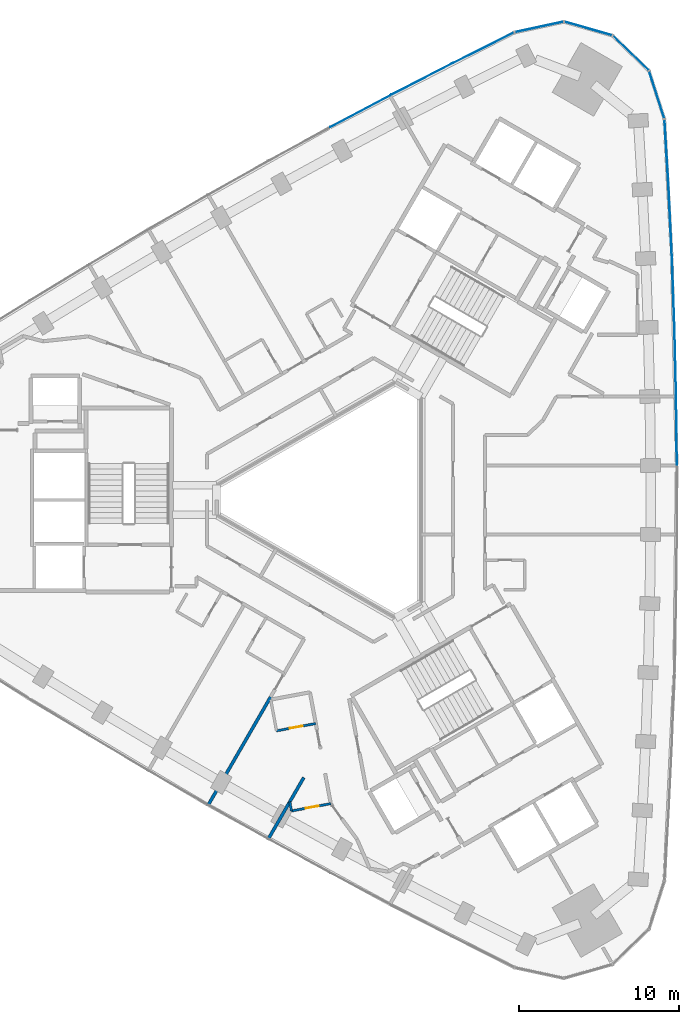
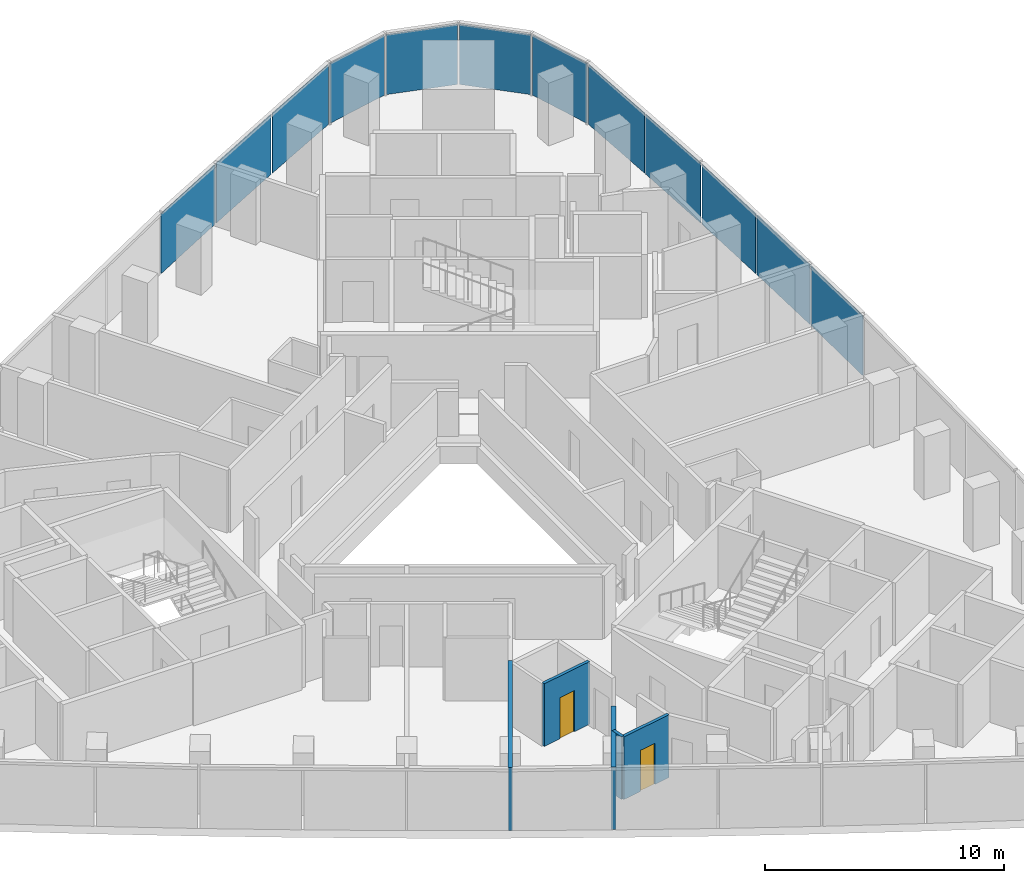
# One storey, part 7 of 13: 12 plates, 5 walls, 2 doors, 2 openings, 2 elements without a shape of their own.
"""IFC4 building model written with IfcOpenShell, lengths in metres."""

from ifc_helpers import new_model, si_unit, direction, frame, frame_2d, origin, origin_2d, place, context, subcontext, project, spatial, rectangle, extrude, material, layer, layer_set, type_object, element, fill, aggregate, save


model = new_model("IFC4")

# Units and contexts
model_context = context("Model", 3, precision=1e-05, world=origin(), true_north=direction((0.0, 1.0)))
body_context = subcontext(model_context, "Body", "Model", "MODEL_VIEW")
ifc_project = project(units=[si_unit("LENGTHUNIT", "METRE"), si_unit("AREAUNIT", "SQUARE_METRE"), si_unit("VOLUMEUNIT", "CUBIC_METRE"), si_unit("PLANEANGLEUNIT", "RADIAN"), si_unit("MASSUNIT", "GRAM", prefix="KILO")], contexts=[model_context])

# Site, building, storey
site_placement = place(None, origin())
site = spatial("IfcSite", under=ifc_project, at=site_placement, CompositionType="ELEMENT")
building_placement = place(site_placement, origin())
building = spatial("IfcBuilding", under=site, at=building_placement, Name="Tamra Quay Hotel Tower", CompositionType="ELEMENT")
storey_placement = place(building_placement, frame((0.0, 0.0, 132.39990234375)))
storey = spatial("IfcBuildingStorey", under=building, at=storey_placement, Name="L32", CompositionType="ELEMENT", Elevation=132.39990234375)

# Curtain wall, plates
ifc_material_1 = material(Name="Aluminium 6063 anodised dark grey", Category="aluminium")
curtain_wall_type_1 = type_object("IfcCurtainWallType", Name="CW1 CURTAIN WALL", PredefinedType="NOTDEFINED", material=ifc_material_1)
curtain_wall_1_placement = place(storey_placement, origin())
curtain_wall_1 = element("IfcCurtainWall", 1, at=curtain_wall_1_placement, inside=storey, type_object=curtain_wall_type_1, Name="CW1 east face L32", PredefinedType="NOTDEFINED")
ifc_material_2 = material(Name="Glass clear laminated low-iron", Category="glass")
ifc_layer_1 = layer(ifc_material_2, 0.031982421875)
ifc_layer_set_1 = layer_set([ifc_layer_1], Name="GLASS PANEL CW1 Z3")
plate_type_1 = type_object("IfcPlateType", Name="GLASS PANEL CW1 Z3", PredefinedType="CURTAIN_PANEL", material=ifc_layer_set_1)
plate_1_placement = place(storey_placement, frame((20.793701171875, 4.342041015625, 0.0), z_axis=(0.0, 0.0, 1.0), x_axis=(-0.011957026787, 0.9999285122, 0.0)))
plate_1 = element("IfcPlate", 2, at=plate_1_placement, type_object=plate_type_1, Name="CW1 glass L32.E.7", PredefinedType="CURTAIN_PANEL", context=body_context, shape_type="SweptSolid", body=[
    extrude(rectangle(XDim=4.24169921875, YDim=0.031982421875, at=origin_2d()), origin(), (0.0, 0.0, 1.0), 3.06005859375),
])
plate_2_placement = place(storey_placement, frame((20.716064453125, 8.683349609375, 0.0), z_axis=(0.0, 0.0, 1.0), x_axis=(-0.023896183128, 0.999714445445, 0.0)))
plate_2 = element("IfcPlate", 3, at=plate_2_placement, type_object=plate_type_1, Name="CW1 glass L32.E.8", PredefinedType="CURTAIN_PANEL", context=body_context, shape_type="SweptSolid", body=[
    extrude(rectangle(XDim=4.24267578125, YDim=0.031982421875, at=origin_2d()), origin(), (0.0, 0.0, 1.0), 3.06005859375),
])
plate_3_placement = place(storey_placement, frame((20.586181640625, 13.02392578125, 0.0), z_axis=(0.0, 0.0, 1.0), x_axis=(-0.03584493651, 0.999357363773, 0.0)))
plate_3 = element("IfcPlate", 4, at=plate_3_placement, type_object=plate_type_1, Name="CW1 glass L32.E.9", PredefinedType="CURTAIN_PANEL", context=body_context, shape_type="SweptSolid", body=[
    extrude(rectangle(XDim=4.24267578125, YDim=0.031982421875, at=origin_2d()), origin(), (0.0, 0.0, 1.0), 3.06005859375),
])
plate_4_placement = place(storey_placement, frame((20.40478515625, 17.3623046875, 0.0), z_axis=(0.0, 0.0, 1.0), x_axis=(-0.04774710654, 0.998859456489, 0.0)))
plate_4 = element("IfcPlate", 5, at=plate_4_placement, type_object=plate_type_1, Name="CW1 glass L32.E.10", PredefinedType="CURTAIN_PANEL", context=body_context, shape_type="SweptSolid", body=[
    extrude(rectangle(XDim=4.24169921875, YDim=0.031982421875, at=origin_2d()), origin(), (0.0, 0.0, 1.0), 3.06005859375),
])
plate_5_placement = place(storey_placement, frame((20.171630859375, 21.697998046875, 0.0), z_axis=(0.0, 0.0, 1.0), x_axis=(-0.05964191564, 0.998219836458, 0.0)))
plate_5 = element("IfcPlate", 6, at=plate_5_placement, type_object=plate_type_1, Name="CW1 glass L32.E.11", PredefinedType="CURTAIN_PANEL", context=body_context, shape_type="SweptSolid", body=[
    extrude(rectangle(XDim=4.2421875, YDim=0.031982421875, at=origin_2d()), origin(), (0.0, 0.0, 1.0), 3.06005859375),
])
plate_6_placement = place(storey_placement, frame((19.55712890625, 25.374267578125, 0.0), z_axis=(0.0, 0.0, 1.0), x_axis=(-0.305914777883, 0.952058899792, 0.0)))
plate_6 = element("IfcPlate", 7, at=plate_6_placement, type_object=plate_type_1, Name="CW1 glass L32.E.12", PredefinedType="CURTAIN_PANEL", context=body_context, shape_type="SweptSolid", body=[
    extrude(rectangle(XDim=3.0703125, YDim=0.031982421875, at=origin_2d()), origin(), (0.0, 0.0, 1.0), 3.06005859375),
])
plate_7_placement = place(storey_placement, frame((17.93310546875, 27.98583984375, 0.0), z_axis=(0.0, 0.0, 1.0), x_axis=(-0.718584480635, 0.695439676888, 0.0)))
plate_7 = element("IfcPlate", 8, at=plate_7_placement, type_object=plate_type_1, Name="CW1 glass L32.E.13", PredefinedType="CURTAIN_PANEL", context=body_context, shape_type="SweptSolid", body=[
    extrude(rectangle(XDim=3.0703125, YDim=0.031982421875, at=origin_2d()), origin(), (0.0, 0.0, 1.0), 3.06005859375),
])
plate_8_placement = place(storey_placement, frame((15.269775390625, 29.5234375, 0.0), z_axis=(0.0, 0.0, 1.0), x_axis=(-0.961560667302, 0.274592576551, 0.0)))
plate_8 = element("IfcPlate", 9, at=plate_8_placement, type_object=plate_type_1, Name="CW1 glass L32.E.14", PredefinedType="CURTAIN_PANEL", context=body_context, shape_type="SweptSolid", body=[
    extrude(rectangle(XDim=3.0703125, YDim=0.031982421875, at=origin_2d()), origin(), (0.0, 0.0, 1.0), 3.06005859375),
])
plate_9_placement = place(storey_placement, frame((12.196044921875, 29.624267578125, 0.0), z_axis=(0.0, 0.0, 1.0), x_axis=(-0.97746458206, -0.211099480856, 0.0)))
plate_9 = element("IfcPlate", 10, at=plate_9_placement, type_object=plate_type_1, Name="CW1 glass L32.E.15", PredefinedType="CURTAIN_PANEL", context=body_context, shape_type="SweptSolid", body=[
    extrude(rectangle(XDim=3.0703125, YDim=0.031982421875, at=origin_2d()), origin(), (0.0, 0.0, 1.0), 3.06005859375),
])
aggregate(curtain_wall_1, [plate_1, plate_2, plate_3, plate_4, plate_5, plate_6, plate_7, plate_8, plate_9])

curtain_wall_type_2 = type_object("IfcCurtainWallType", Name="CW2 CURTAIN WALL", PredefinedType="NOTDEFINED", material=ifc_material_1)
curtain_wall_2_placement = place(storey_placement, origin())
curtain_wall_2 = element("IfcCurtainWall", 11, at=curtain_wall_2_placement, inside=storey, type_object=curtain_wall_type_2, Name="CW2 north-west face L32", PredefinedType="NOTDEFINED")
ifc_layer_2 = layer(ifc_material_2, 0.031982421875)
ifc_layer_set_2 = layer_set([ifc_layer_2], Name="GLASS PANEL CW2 Z3")
plate_type_2 = type_object("IfcPlateType", Name="GLASS PANEL CW2 Z3", PredefinedType="CURTAIN_PANEL", material=ifc_layer_set_2)
plate_10_placement = place(storey_placement, frame((8.705078125, 28.318115234375, 0.0), z_axis=(0.0, 0.0, 1.0), x_axis=(-0.894304694754, -0.447458504155, 0.0)))
plate_10 = element("IfcPlate", 12, at=plate_10_placement, type_object=plate_type_2, Name="CW2 glass L32.NW.1", PredefinedType="CURTAIN_PANEL", context=body_context, shape_type="SweptSolid", body=[
    extrude(rectangle(XDim=4.2421875, YDim=0.031982421875, at=origin_2d()), origin(), (0.0, 0.0, 1.0), 3.06005859375),
])
plate_11_placement = place(storey_placement, frame((4.833740234375, 26.352294921875, 0.0), z_axis=(0.0, 0.0, 1.0), x_axis=(-0.8889112174, -0.458079521023, 0.0)))
plate_11 = element("IfcPlate", 13, at=plate_11_placement, type_object=plate_type_2, Name="CW2 glass L32.NW.2", PredefinedType="CURTAIN_PANEL", context=body_context, shape_type="SweptSolid", body=[
    extrude(rectangle(XDim=4.24169921875, YDim=0.031982421875, at=origin_2d()), origin(), (0.0, 0.0, 1.0), 3.06005859375),
])
plate_12_placement = place(storey_placement, frame((0.986083984375, 24.34033203125, 0.0), z_axis=(0.0, 0.0, 1.0), x_axis=(-0.883391332741, -0.468636056272, 0.0)))
plate_12 = element("IfcPlate", 14, at=plate_12_placement, type_object=plate_type_2, Name="CW2 glass L32.NW.3", PredefinedType="CURTAIN_PANEL", context=body_context, shape_type="SweptSolid", body=[
    extrude(rectangle(XDim=4.24267578125, YDim=0.031982421875, at=origin_2d()), origin(), (0.0, 0.0, 1.0), 3.06005859375),
])
aggregate(curtain_wall_2, [plate_10, plate_11, plate_12])

# Wall, opening, door
ifc_material_3 = material(Name="Partition en-suite wall")
ifc_layer_3 = layer(ifc_material_3, 0.14990234375)
ifc_layer_set_3 = layer_set([ifc_layer_3], Name="Partition en-suite wall")
wall_type_1 = type_object("IfcWallType", Name="Partition en-suite wall", PredefinedType="PARTITIONING", material=ifc_layer_set_3)
wall_1_placement = place(storey_placement, frame((-4.25390625, -14.45703125, 0.0), z_axis=(0.0, 0.0, 1.0), x_axis=(0.98293843799, 0.183934844773, 0.0)))
wall_1 = element("IfcWall", 15, at=wall_1_placement, inside=storey, type_object=wall_type_1, Name="W-E", PredefinedType="PARTITIONING", context=body_context, shape_type="SweptSolid", body=[
    extrude(rectangle(XDim=2.500732421875, YDim=0.14990234375, at=frame_2d((1.25048828125, 0.0))), origin(), (0.0, 0.0, 1.0), 3.2001953125),
])
opening_1_placement = place(wall_1_placement, frame((0.850341796875, 0.0, 0.0)))
opening_1 = element("IfcOpeningElement", 16, at=opening_1_placement, cuts=wall_1, Name="Opening L32-D019", PredefinedType="OPENING", context=body_context, shape_type="SweptSolid", body=[
    extrude(rectangle(XDim=0.800048828125, YDim=2.10009765625, at=frame_2d((0.39990234375, 1.050048828125))), frame((0.0, 0.0849609375, 0.0), z_axis=(0.0, -1.0, 0.0), x_axis=(1.0, 0.0, 0.0)), (0.0, 0.0, 1.0), 0.169921875),
])
ifc_material_4 = material(Name="Door en-suite 800x2100")
door_type = type_object("IfcDoorType", Name="Door en-suite 800x2100", OperationType="NOTDEFINED", PredefinedType="DOOR", material=ifc_material_4)
door_1_placement = place(opening_1_placement, frame((0.800048828125, 0.0, 0.0), z_axis=(0.0, 0.0, 1.0), x_axis=(-1.0, 0.0, 0.0)))
door_1 = element("IfcDoor", 17, at=door_1_placement, inside=storey, type_object=door_type, Name="L32-D019", OperationType="SINGLE_SWING_LEFT", OverallHeight=2.10009765625, OverallWidth=0.800048828125, PredefinedType="DOOR", context=body_context, shape_type="SweptSolid", body=[
    extrude(rectangle(XDim=0.800048828125, YDim=2.10009765625, at=frame_2d((0.39990234375, 1.050048828125))), frame((0.0, 0.02490234375, 0.0), z_axis=(0.0, -1.0, 0.0), x_axis=(1.0, 0.0, 0.0)), (0.0, 0.0, 1.0), 0.050048828125),
])
fill(opening_1, door_1)

# Wall
wall_2_placement = place(storey_placement, frame((-3.425048828125, -18.8974609375, 0.0), z_axis=(0.0, 0.0, 1.0), x_axis=(0.183861553242, -0.982952150025, 0.0)))
element("IfcWall", 18, at=wall_2_placement, inside=storey, type_object=wall_type_1, Name="W-E", PredefinedType="PARTITIONING", context=body_context, shape_type="SweptSolid", body=[
    extrude(rectangle(XDim=0.5869140625, YDim=0.14990234375, at=frame_2d((0.29345703125, 0.0))), origin(), (0.0, 0.0, 1.0), 3.2001953125),
])

# Wall, opening, door
wall_3_placement = place(storey_placement, frame((-3.31494140625, -19.47412109375, 0.0), z_axis=(0.0, 0.0, 1.0), x_axis=(0.982978173855, 0.183722371326, 0.0)))
wall_3 = element("IfcWall", 19, at=wall_3_placement, inside=storey, type_object=wall_type_1, Name="W-E", PredefinedType="PARTITIONING", context=body_context, shape_type="SweptSolid", body=[
    extrude(rectangle(XDim=2.49951171875, YDim=0.14990234375, at=frame_2d((1.249755859375, 0.0))), origin(), (0.0, 0.0, 1.0), 3.2001953125),
])
opening_2_placement = place(wall_3_placement, frame((0.91455078125, 0.0, 0.0)))
opening_2 = element("IfcOpeningElement", 20, at=opening_2_placement, cuts=wall_3, Name="Opening L32-D022", PredefinedType="OPENING", context=body_context, shape_type="SweptSolid", body=[
    extrude(rectangle(XDim=0.800048828125, YDim=2.10009765625, at=frame_2d((0.39990234375, 1.050048828125))), frame((0.0, 0.0849609375, 0.0), z_axis=(0.0, -1.0, 0.0), x_axis=(1.0, 0.0, 0.0)), (0.0, 0.0, 1.0), 0.169921875),
])
door_2_placement = place(opening_2_placement, frame((0.800048828125, 0.0, 0.0), z_axis=(0.0, 0.0, 1.0), x_axis=(-1.0, 0.0, 0.0)))
door_2 = element("IfcDoor", 21, at=door_2_placement, inside=storey, type_object=door_type, Name="L32-D022", OperationType="SINGLE_SWING_LEFT", OverallHeight=2.10009765625, OverallWidth=0.800048828125, PredefinedType="DOOR", context=body_context, shape_type="SweptSolid", body=[
    extrude(rectangle(XDim=0.800048828125, YDim=2.10009765625, at=frame_2d((0.39990234375, 1.050048828125))), frame((0.0, 0.02490234375, 0.0), z_axis=(0.0, -1.0, 0.0), x_axis=(1.0, 0.0, 0.0)), (0.0, 0.0, 1.0), 0.050048828125),
])
fill(opening_2, door_2)

# Walls
ifc_material_5 = material(Name="Partition party wall")
ifc_layer_4 = layer(ifc_material_5, 0.199951171875)
ifc_layer_set_4 = layer_set([ifc_layer_4], Name="Partition party wall")
wall_type_2 = type_object("IfcWallType", Name="Partition party wall", PredefinedType="PARTITIONING", material=ifc_layer_set_4)
wall_4_placement = place(storey_placement, frame((-8.535400390625, -19.10693359375, 0.0), z_axis=(0.0, 0.0, 1.0), x_axis=(0.500028565219, 0.866008911019, 0.0)))
element("IfcWall", 22, at=wall_4_placement, inside=storey, type_object=wall_type_2, Name="W-P", PredefinedType="PARTITIONING", context=body_context, shape_type="SweptSolid", body=[
    extrude(rectangle(XDim=7.82421875, YDim=0.199951171875, at=frame_2d((3.912109375, 0.0))), origin(), (0.0, 0.0, 1.0), 3.2001953125),
])
wall_5_placement = place(storey_placement, frame((-4.766845703125, -21.22314453125, 0.0), z_axis=(0.0, 0.0, 1.0), x_axis=(0.500305100915, 0.865849182017, 0.0)))
element("IfcWall", 23, at=wall_5_placement, inside=storey, type_object=wall_type_2, Name="W-P", PredefinedType="PARTITIONING", context=body_context, shape_type="SweptSolid", body=[
    extrude(rectangle(XDim=4.436767578125, YDim=0.199951171875, at=frame_2d((2.21826171875, 0.0))), origin(), (0.0, 0.0, 1.0), 3.2001953125),
])

save(model, "model.ifc")
